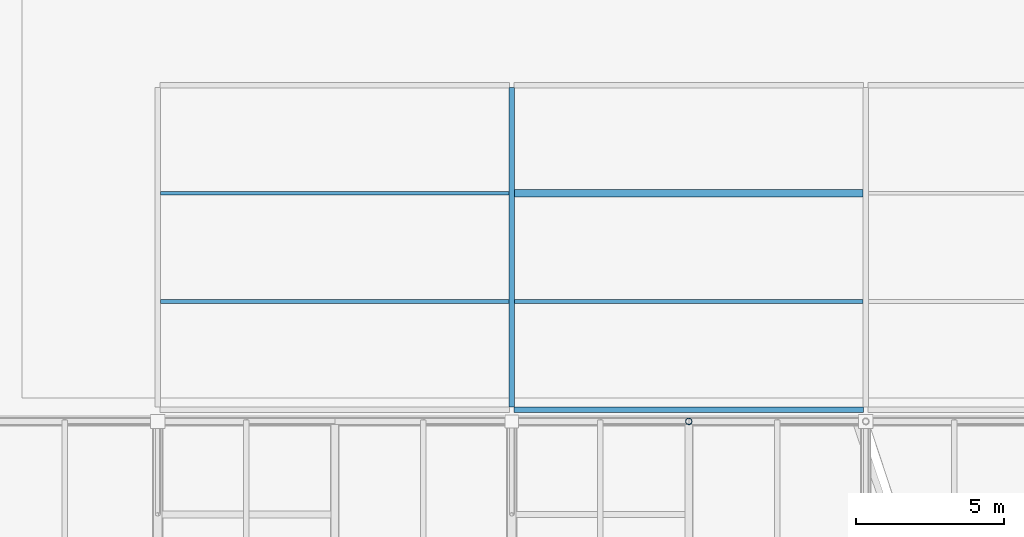
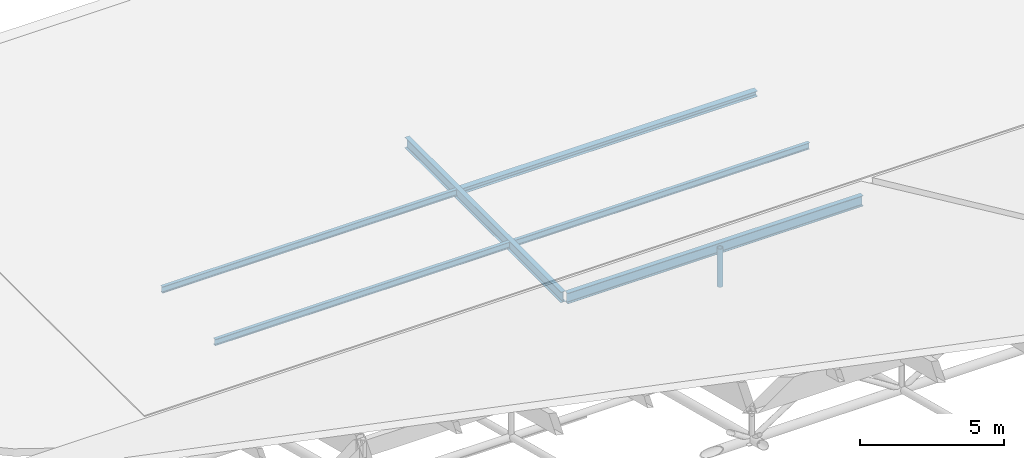
# One storey, part 52 of 80: 6 beams, 1 member.
"""IFC4 building model written with IfcOpenShell, lengths in metres."""

from ifc_helpers import new_model, si_unit, direction, frame, origin, origin_2d, place, context, subcontext, project, spatial, hollow_circle, i_section, extrude, material, material_profile, profile_set, type_object, element, save


model = new_model("IFC4")

# Units and contexts
model_context = context("Model", 3, precision=1e-05, world=origin(), true_north=direction((0.0, 1.0)))
body_context = subcontext(model_context, "Body", "Model", "MODEL_VIEW")
ifc_project = project(units=[si_unit("LENGTHUNIT", "METRE"), si_unit("AREAUNIT", "SQUARE_METRE"), si_unit("VOLUMEUNIT", "CUBIC_METRE"), si_unit("PLANEANGLEUNIT", "RADIAN"), si_unit("MASSUNIT", "GRAM", prefix="KILO"), si_unit("THERMODYNAMICTEMPERATUREUNIT", "KELVIN"), si_unit("POWERUNIT", "WATT")], contexts=[model_context])

# Site, building, storey
site_placement = place(None, origin())
site = spatial("IfcSite", under=ifc_project, at=site_placement, CompositionType="ELEMENT")
building_placement = place(site_placement, origin())
building = spatial("IfcBuilding", under=site, at=building_placement, Name="Solmara Park Aquatics Centre", CompositionType="ELEMENT")
storey_placement = place(building_placement, frame((0.0, 0.0, 22.800048828125)))
storey = spatial("IfcBuildingStorey", under=building, at=storey_placement, Name="RF", CompositionType="ELEMENT", Elevation=22.800048828125)

# Beams
ifc_material = material(Name="Structural Steel S355", Category="steel")
ifc_material_profile_1 = material_profile(ifc_material, i_section(OverallWidth=0.18994140625, OverallDepth=0.449951171875, WebThickness=0.009521484375, FlangeThickness=0.0146484375, FilletRadius=0.02099609375, at=origin_2d()), Name="IPE 450")
ifc_profile_set_1 = profile_set([ifc_material_profile_1], Name="Structural Steel S355")
beam_type_1 = type_object("IfcBeamType", Name="STR-BM-IPE450", PredefinedType="BEAM", material=ifc_profile_set_1)
beam_1_placement = place(storey_placement, frame((24.679931640625, 85.60009765625, -13.06494140625), z_axis=(1.0, 0.0, 0.0), x_axis=(0.0, 1.0, 0.0)))
element("IfcBeam", 1, at=beam_1_placement, inside=storey, type_object=beam_type_1, Name="Girder BM-RF-0550", PredefinedType="BEAM", context=body_context, shape_type="SweptSolid", body=[
    extrude(i_section(OverallWidth=0.18994140625, OverallDepth=0.449951171875, WebThickness=0.009521484375, FlangeThickness=0.0146484375, FilletRadius=0.02099609375, at=origin_2d()), origin(), (0.0, 0.0, 1.0), 11.840087890625),
])
beam_2_placement = place(storey_placement, frame((24.60009765625, 85.679931640625, -13.06494140625), z_axis=(0.0, 1.0, 0.0), x_axis=(-1.0, 0.0, 0.0)))
element("IfcBeam", 2, at=beam_2_placement, inside=storey, type_object=beam_type_1, Name="Girder BM-RF-0558", PredefinedType="BEAM", context=body_context, shape_type="SweptSolid", body=[
    extrude(i_section(OverallWidth=0.18994140625, OverallDepth=0.449951171875, WebThickness=0.009521484375, FlangeThickness=0.0146484375, FilletRadius=0.02099609375, at=origin_2d()), origin(), (0.0, 0.0, 1.0), 10.840087890625),
])
ifc_material_profile_2 = material_profile(ifc_material, i_section(OverallWidth=0.239990234375, OverallDepth=0.22998046875, WebThickness=0.007568359375, FlangeThickness=0.011962890625, FilletRadius=0.02099609375, at=origin_2d()), Name="HEA 240")
ifc_profile_set_2 = profile_set([ifc_material_profile_2], Name="Structural Steel S355")
beam_type_2 = type_object("IfcBeamType", Name="STR-JST-HEA240", PredefinedType="JOIST", material=ifc_profile_set_2)
beam_3_placement = place(storey_placement, frame((24.695068359375, 92.933349609375, -12.955078125), z_axis=(1.0, 0.0, 0.0), x_axis=(0.0, 1.0, 0.0)))
element("IfcBeam", 3, at=beam_3_placement, inside=storey, type_object=beam_type_2, Name="Floor Joist JST-RF-0309", PredefinedType="JOIST", context=body_context, shape_type="SweptSolid", body=[
    extrude(i_section(OverallWidth=0.239990234375, OverallDepth=0.22998046875, WebThickness=0.007568359375, FlangeThickness=0.011962890625, FilletRadius=0.02099609375, at=origin_2d()), origin(), (0.0, 0.0, 1.0), 11.809814453125),
])
ifc_material_profile_3 = material_profile(ifc_material, i_section(OverallWidth=0.135009765625, OverallDepth=0.27001953125, WebThickness=0.006591796875, FlangeThickness=0.01025390625, FilletRadius=0.014892578125, at=origin_2d()), Name="IPE 270")
ifc_profile_set_3 = profile_set([ifc_material_profile_3], Name="Structural Steel S355")
beam_type_3 = type_object("IfcBeamType", Name="STR-JST-IPE270", PredefinedType="JOIST", material=ifc_profile_set_3)
for number, where, z_axis, x_axis, name in (
    (4, (12.695068359375, 89.2666015625, -12.97509765625), (1.0, 0.0, 0.0), (0.0, 1.0, 0.0), "Floor Joist JST-RF-0306"),
    (5, (12.695068359375, 92.933349609375, -12.97509765625), (1.0, 0.0, 0.0), (0.0, 1.0, 0.0), "Floor Joist JST-RF-0307"),
    (6, (24.695068359375, 89.2666015625, -12.97509765625), (1.0, 0.0, 0.0), (0.0, 1.0, 0.0), "Floor Joist JST-RF-0308"),
):
    element("IfcBeam", number, at=place(storey_placement, frame(where, z_axis=z_axis, x_axis=x_axis)), inside=storey, type_object=beam_type_3, Name=name, PredefinedType="JOIST", context=body_context, shape_type="SweptSolid", body=[
        extrude(i_section(OverallWidth=0.135009765625, OverallDepth=0.27001953125, WebThickness=0.006591796875, FlangeThickness=0.01025390625, FilletRadius=0.014892578125, at=origin_2d()), origin(), (0.0, 0.0, 1.0), 11.809814453125),
    ])

# Member
ifc_material_profile_4 = material_profile(ifc_material, hollow_circle(Radius=0.109619140625, WallThickness=0.010009765625, at=origin_2d()), Name="CHS 219.1x10")
ifc_profile_set_4 = profile_set([ifc_material_profile_4], Name="Structural Steel S355")
member_type = type_object("IfcMemberType", Name="STR-PST-CHS219", PredefinedType="POST", material=ifc_profile_set_4)
member_placement = place(storey_placement, frame((30.60009765625, 85.199951171875, -14.400146484375), z_axis=(0.0, 0.0, 1.0), x_axis=(1.0, 0.0, 0.0)))
element("IfcMember", 7, at=member_placement, inside=storey, type_object=member_type, Name="Roof Truss Web Post 1155", PredefinedType="POST", context=body_context, shape_type="SweptSolid", body=[
    extrude(hollow_circle(Radius=0.109619140625, WallThickness=0.010009765625, at=origin_2d()), origin(), (0.0, 0.0, 1.0), 1.6201171875),
])

save(model, "model.ifc")
